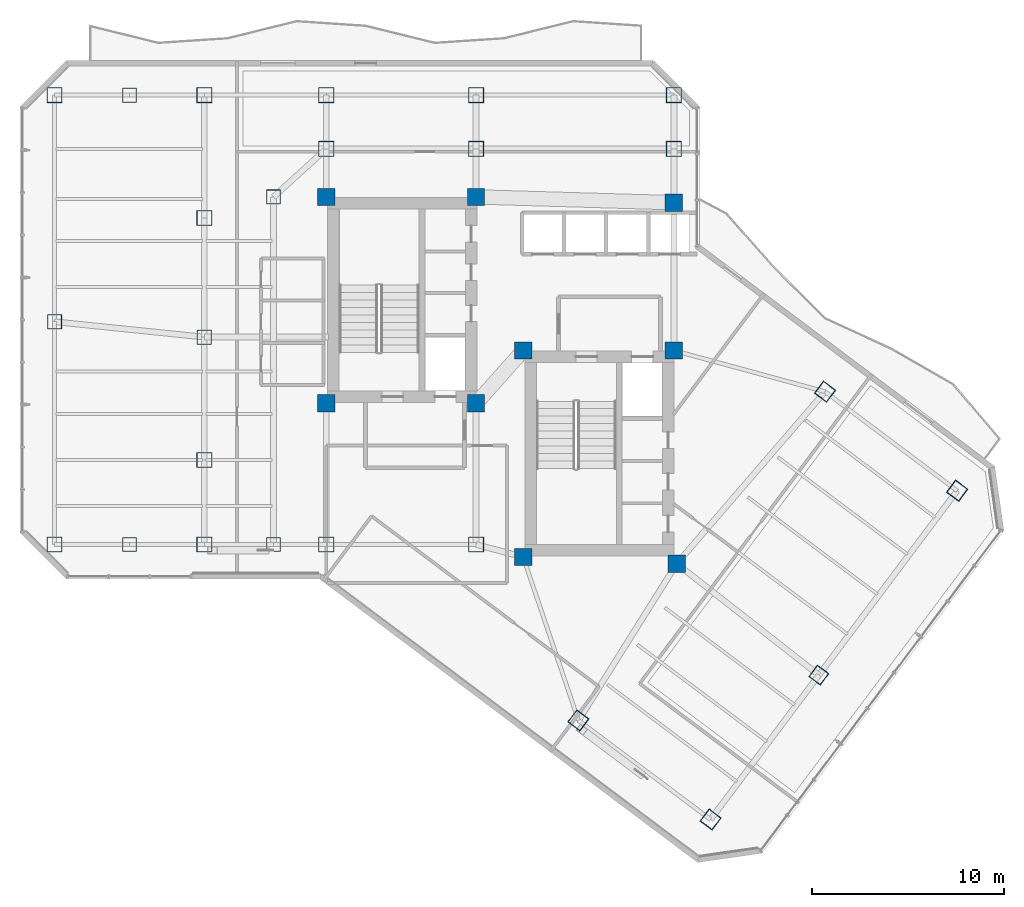
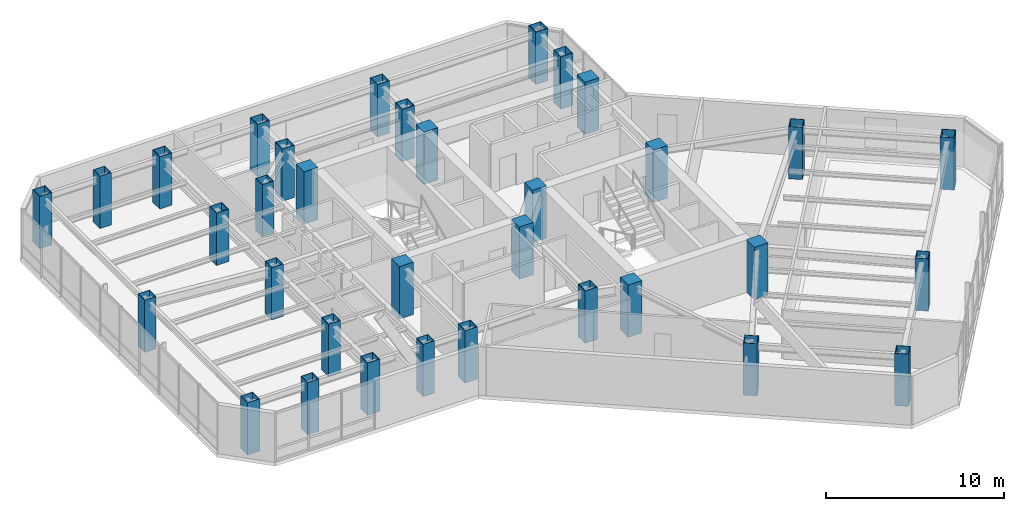
# One storey, part 1 of 28: 34 columns.
"""IFC4 building model written with IfcOpenShell, lengths in metres."""

from ifc_helpers import new_model, si_unit, direction, frame, origin, origin_2d, place, context, subcontext, project, spatial, rectangle, hollow_rectangle, extrude, material, material_profile, profile_set, type_object, element, save


model = new_model("IFC4")

# Units and contexts
model_context = context("Model", 3, precision=1e-05, world=origin(), true_north=direction((0.0, 1.0)))
body_context = subcontext(model_context, "Body", "Model", "MODEL_VIEW")
ifc_project = project(units=[si_unit("LENGTHUNIT", "METRE"), si_unit("AREAUNIT", "SQUARE_METRE"), si_unit("VOLUMEUNIT", "CUBIC_METRE"), si_unit("PLANEANGLEUNIT", "RADIAN"), si_unit("MASSUNIT", "GRAM", prefix="KILO")], contexts=[model_context])

# Site, building, storey
site_placement = place(None, origin())
site = spatial("IfcSite", under=ifc_project, at=site_placement, CompositionType="ELEMENT")
building_placement = place(site_placement, origin())
building = spatial("IfcBuilding", under=site, at=building_placement, Name="Hatsunagi Terrace Concourse", CompositionType="ELEMENT")
storey_placement = place(building_placement, frame((0.0, 0.0, 170.85009765625)))
storey = spatial("IfcBuildingStorey", under=building, at=storey_placement, Name="L45", CompositionType="ELEMENT", Elevation=170.85009765625)

# Columns
ifc_material_1 = material(Name="Concrete Fc48", Category="concrete")
ifc_material_profile_1 = material_profile(ifc_material_1, rectangle(XDim=0.89990234375, YDim=0.89990234375, at=origin_2d()), Name="RC-900x900")
ifc_profile_set_1 = profile_set([ifc_material_profile_1], Name="Concrete Fc48")
column_type_1 = type_object("IfcColumnType", Name="CoreColumn_RC_900x900", PredefinedType="COLUMN", material=ifc_profile_set_1)
for number, where, z_axis, x_axis, name in (
    (1, (25.550048828125, 32.550048828125, 0.0), (0.0, 0.0, 1.0), (1.0, 0.0, 0.0), "Column C-02 L45-CASW"),
    (2, (33.35009765625, 32.550048828125, 0.0), (0.0, 0.0, 1.0), (1.0, 0.0, 0.0), "Column C-02 L45-CASE"),
    (3, (25.550048828125, 43.300048828125, 0.0), (0.0, 0.0, 1.0), (1.0, 0.0, 0.0), "Column C-02 L45-CANW"),
    (4, (33.35009765625, 43.300048828125, 0.0), (0.0, 0.0, 1.0), (1.0, 0.0, 0.0), "Column C-02 L45-CANE"),
    (5, (35.800048828125, 24.550048828125, 0.0), (0.0, 0.0, 1.0), (1.0, 0.0, 0.0), "Column C-02 L45-CBSW"),
    (6, (43.800048828125, 24.199951171875, 0.0), (0.0, 0.0, 1.0), (1.0, 0.0, 0.0), "Column C-02 L45-CBSE"),
    (7, (35.800048828125, 35.300048828125, 0.0), (0.0, 0.0, 1.0), (1.0, 0.0, 0.0), "Column C-02 L45-CBNW"),
    (8, (43.64990234375, 35.300048828125, 0.0), (0.0, 0.0, 1.0), (1.0, 0.0, 0.0), "Column C-02 L45-CBNE"),
    (9, (43.64990234375, 43.0, 0.0), (0.0, 0.0, 1.0), (1.0, 0.0, 0.0), "Column C-02 L45-K3"),
):
    element("IfcColumn", number, at=place(storey_placement, frame(where, z_axis=z_axis, x_axis=x_axis)), inside=storey, type_object=column_type_1, Name=name, PredefinedType="COLUMN", context=body_context, shape_type="SweptSolid", body=[
        extrude(rectangle(XDim=0.89990234375, YDim=0.89990234375, at=origin_2d()), origin(), (0.0, 0.0, 1.0), 3.599853515625),
    ])
ifc_material_2 = material(Name="Steel BCP325T", Category="steel")
ifc_material_profile_2 = material_profile(ifc_material_2, hollow_rectangle(XDim=0.75, YDim=0.75, WallThickness=0.028076171875, at=origin_2d()), Name="BCP-750x750x28")
ifc_profile_set_2 = profile_set([ifc_material_profile_2], Name="Steel BCP325T")
column_type_2 = type_object("IfcColumnType", Name="TowerBoxColumn_750x750x28", PredefinedType="COLUMN", material=ifc_profile_set_2)
for number, where, z_axis, x_axis, name in (
    (10, (22.800048828125, 25.199951171875, 0.0), (0.0, 0.0, 1.0), (1.0, 0.0, 0.0), "Column C-07 L45-CW1"),
    (11, (22.800048828125, 43.300048828125, 0.0), (0.0, 0.0, 1.0), (1.0, 0.0, 0.0), "Column C-07 L45-CW2"),
    (12, (11.39990234375, 36.800048828125, 0.0), (0.0, 0.0, 1.0), (1.0, 0.0, 0.0), "Column C-07 L45-WT1"),
    (13, (19.199951171875, 36.0, 0.0), (0.0, 0.0, 1.0), (1.0, 0.0, 0.0), "Column C-07 L45-WT2"),
    (14, (15.300048828125, 25.199951171875, 0.0), (0.0, 0.0, 1.0), (1.0, 0.0, 0.0), "Column C-07 L45-WT3"),
    (15, (15.300048828125, 48.60009765625, 0.0), (0.0, 0.0, 1.0), (1.0, 0.0, 0.0), "Column C-07 L45-WT4"),
    (16, (51.199951171875, 18.39990234375, 0.0), (0.0, 0.0, 1.0), (0.799999996291, -0.600000004945, 0.0), "Column C-07 L45-SEM2"),
):
    element("IfcColumn", number, at=place(storey_placement, frame(where, z_axis=z_axis, x_axis=x_axis)), inside=storey, type_object=column_type_2, Name=name, PredefinedType="COLUMN", context=body_context, shape_type="SweptSolid", body=[
        extrude(hollow_rectangle(XDim=0.75, YDim=0.75, WallThickness=0.028076171875, at=origin_2d()), origin(), (0.0, 0.0, 1.0), 3.599853515625),
    ])
ifc_material_3 = material(Name="Steel BCP325T", Category="steel")
ifc_material_profile_3 = material_profile(ifc_material_3, hollow_rectangle(XDim=0.800048828125, YDim=0.800048828125, WallThickness=0.031982421875, at=origin_2d()), Name="BCP-800x800x32")
ifc_profile_set_3 = profile_set([ifc_material_profile_3], Name="Steel BCP325T")
column_type_3 = type_object("IfcColumnType", Name="TowerBoxColumn_800x800x32", PredefinedType="COLUMN", material=ifc_profile_set_3)
for number, where, z_axis, x_axis, name in (
    (17, (25.550048828125, 25.199951171875, 0.0), (0.0, 0.0, 1.0), (1.0, 0.0, 0.0), "Column C-06 L45-K1"),
    (18, (33.35009765625, 25.199951171875, 0.0), (0.0, 0.0, 1.0), (1.0, 0.0, 0.0), "Column C-06 L45-K2"),
    (19, (25.550048828125, 45.800048828125, 0.0), (0.0, 0.0, 1.0), (1.0, 0.0, 0.0), "Column C-06 L45-CN1"),
    (20, (33.35009765625, 45.800048828125, 0.0), (0.0, 0.0, 1.0), (1.0, 0.0, 0.0), "Column C-06 L45-CN2"),
    (21, (43.64990234375, 45.800048828125, 0.0), (0.0, 0.0, 1.0), (1.0, 0.0, 0.0), "Column C-06 L45-CN3"),
    (22, (11.39990234375, 25.199951171875, 0.0), (0.0, 0.0, 1.0), (1.0, 0.0, 0.0), "Column C-06 L45-WS2"),
    (23, (11.39990234375, 48.60009765625, 0.0), (0.0, 0.0, 1.0), (1.0, 0.0, 0.0), "Column C-06 L45-WN2"),
    (24, (19.199951171875, 48.60009765625, 0.0), (0.0, 0.0, 1.0), (1.0, 0.0, 0.0), "Column C-06 L45-WN3"),
    (25, (25.550048828125, 48.60009765625, 0.0), (0.0, 0.0, 1.0), (1.0, 0.0, 0.0), "Column C-06 L45-WN4"),
    (26, (33.35009765625, 48.60009765625, 0.0), (0.0, 0.0, 1.0), (1.0, 0.0, 0.0), "Column C-06 L45-WN5"),
    (27, (43.64990234375, 48.60009765625, 0.0), (0.0, 0.0, 1.0), (1.0, 0.0, 0.0), "Column C-06 L45-WN6"),
    (28, (19.199951171875, 25.199951171875, 0.0), (0.0, 0.0, 1.0), (1.0, 0.0, 0.0), "Column C-06 L45-WS3"),
    (29, (19.199951171875, 29.60009765625, 0.0), (0.0, 0.0, 1.0), (1.0, 0.0, 0.0), "Column C-06 L45-WR1"),
    (30, (19.199951171875, 42.199951171875, 0.0), (0.0, 0.0, 1.0), (1.0, 0.0, 0.0), "Column C-06 L45-WR2"),
    (31, (38.679931640625, 16.0400390625, 0.0), (0.0, 0.0, 1.0), (0.799999996291, -0.600000004945, 0.0), "Column C-06 L45-SES1"),
    (32, (51.52001953125, 33.159912109375, 0.0), (0.0, 0.0, 1.0), (0.799999996291, -0.600000004945, 0.0), "Column C-06 L45-SEN1"),
    (33, (45.56005859375, 10.8798828125, 0.0), (0.0, 0.0, 1.0), (0.799999996291, -0.600000004945, 0.0), "Column C-06 L45-SES2"),
    (34, (58.39990234375, 28.0, 0.0), (0.0, 0.0, 1.0), (0.799999996291, -0.600000004945, 0.0), "Column C-06 L45-SEN2"),
):
    element("IfcColumn", number, at=place(storey_placement, frame(where, z_axis=z_axis, x_axis=x_axis)), inside=storey, type_object=column_type_3, Name=name, PredefinedType="COLUMN", context=body_context, shape_type="SweptSolid", body=[
        extrude(hollow_rectangle(XDim=0.800048828125, YDim=0.800048828125, WallThickness=0.031982421875, at=origin_2d()), origin(), (0.0, 0.0, 1.0), 3.599853515625),
    ])

save(model, "model.ifc")
